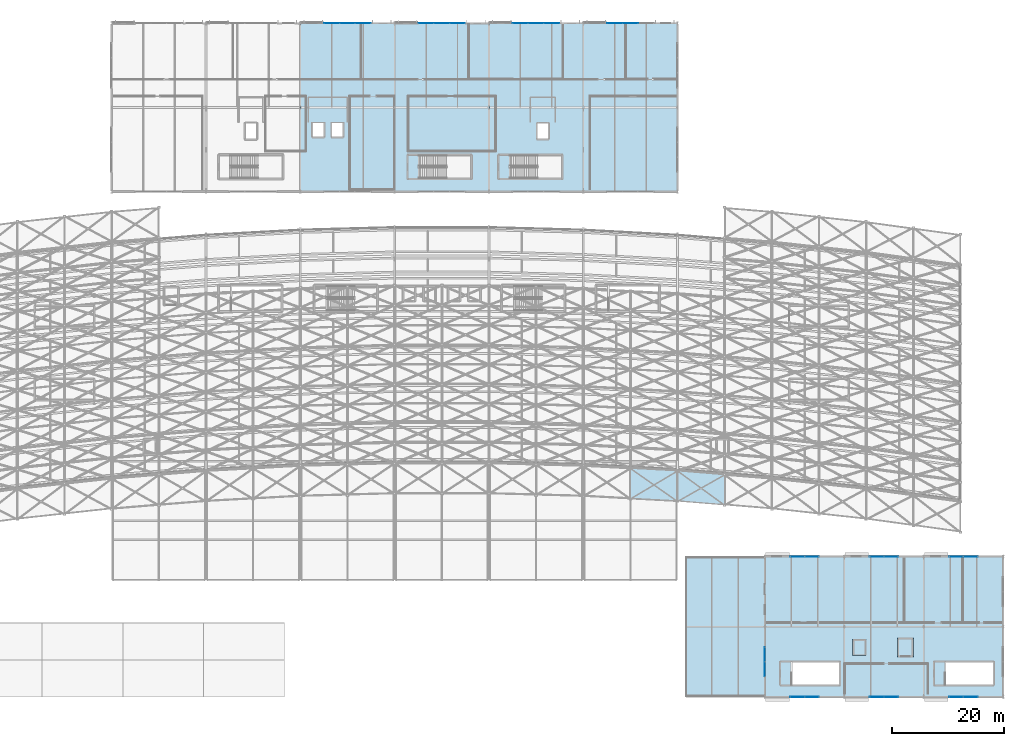
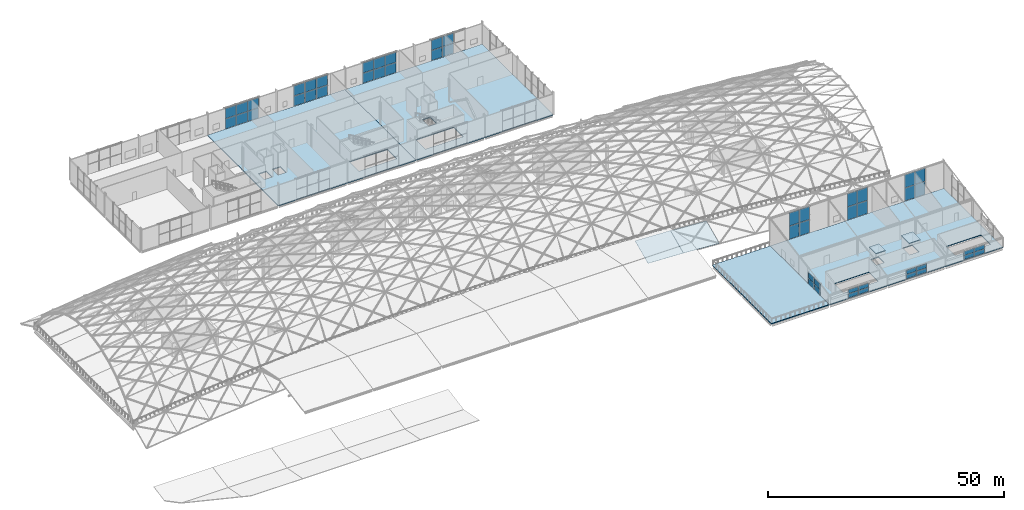
# One storey, part 69 of 100: 52 plates, 6 slabs, 11 elements without a shape of their own.
"""IFC4 building model written with IfcOpenShell, lengths in metres."""

from ifc_helpers import new_model, si_unit, direction, frame, origin, origin_2d, place, context, subcontext, project, spatial, polyline, rectangle, outline, extrude, material, layer, layer_set, type_object, element, aggregate, save


model = new_model("IFC4")

# Units and contexts
model_context = context("Model", 3, precision=1e-05, world=origin(), true_north=direction((0.0, 1.0)))
body_context = subcontext(model_context, "Body", "Model", "MODEL_VIEW")
ifc_project = project(units=[si_unit("LENGTHUNIT", "METRE"), si_unit("AREAUNIT", "SQUARE_METRE"), si_unit("VOLUMEUNIT", "CUBIC_METRE"), si_unit("PLANEANGLEUNIT", "RADIAN"), si_unit("MASSUNIT", "GRAM", prefix="KILO")], contexts=[model_context])

# Site, building, storey
site_placement = place(None, origin())
site = spatial("IfcSite", under=ifc_project, at=site_placement, CompositionType="ELEMENT")
building_placement = place(site_placement, origin())
building = spatial("IfcBuilding", under=site, at=building_placement, Name="Kimbaza Rail Terminus", CompositionType="ELEMENT")
storey_placement = place(building_placement, frame((0.0, 0.0, 10.800048828125)))
storey = spatial("IfcBuildingStorey", under=building, at=storey_placement, Name="L02", CompositionType="ELEMENT", Elevation=10.800048828125)

# Curtain wall, plates
ifc_material_1 = material(Name="Anodised aluminium framing and solar low-E glazing", Category="aluminium")
curtain_wall_type_1 = type_object("IfcCurtainWallType", Name="ARC-CW-PV1", PredefinedType="USERDEFINED", material=ifc_material_1)
curtain_wall_1_placement = place(storey_placement, origin())
curtain_wall_1 = element("IfcCurtainWall", 1, at=curtain_wall_1_placement, inside=storey, type_object=curtain_wall_type_1, Name="Pavilion N Curtain Wall L02.1", ObjectType="STICK CURTAIN WALL", PredefinedType="USERDEFINED")
ifc_material_2 = material(Name="Solar-control double low-E glazing", Category="glass")
ifc_layer_1 = layer(ifc_material_2, 0.027099609375)
ifc_layer_set_1 = layer_set([ifc_layer_1], Name="Solar-control double low-E glazing")
plate_type_1 = type_object("IfcPlateType", Name="ARC-CWP-04", PredefinedType="CURTAIN_PANEL", material=ifc_layer_set_1)
plate_1_placement = place(storey_placement, frame((177.353759765625, 38.0, 0.06494140625), z_axis=(0.0, 0.0, 1.0), x_axis=(1.0, 0.0, 0.0)))
plate_1 = element("IfcPlate", 2, at=plate_1_placement, type_object=plate_type_1, Name="CW-04 panel 1.1", PredefinedType="CURTAIN_PANEL", context=body_context, shape_type="SweptSolid", body=[
    extrude(rectangle(XDim=2.4775390625, YDim=0.027099609375, at=origin_2d()), origin(), (0.0, 0.0, 1.0), 3.375),
])
plate_2_placement = place(storey_placement, frame((177.353759765625, 38.0, 3.5048828125), z_axis=(0.0, 0.0, 1.0), x_axis=(1.0, 0.0, 0.0)))
plate_2 = element("IfcPlate", 3, at=plate_2_placement, type_object=plate_type_1, Name="CW-04 panel 1.2", PredefinedType="CURTAIN_PANEL", context=body_context, shape_type="SweptSolid", body=[
    extrude(rectangle(XDim=2.4775390625, YDim=0.027099609375, at=origin_2d()), origin(), (0.0, 0.0, 1.0), 3.375),
])
plate_3_placement = place(storey_placement, frame((179.896240234375, 38.0, 0.06494140625), z_axis=(0.0, 0.0, 1.0), x_axis=(1.0, 0.0, 0.0)))
plate_3 = element("IfcPlate", 4, at=plate_3_placement, type_object=plate_type_1, Name="CW-04 panel 2.1", PredefinedType="CURTAIN_PANEL", context=body_context, shape_type="SweptSolid", body=[
    extrude(rectangle(XDim=2.4775390625, YDim=0.027099609375, at=origin_2d()), origin(), (0.0, 0.0, 1.0), 3.375),
])
plate_4_placement = place(storey_placement, frame((179.896240234375, 38.0, 3.5048828125), z_axis=(0.0, 0.0, 1.0), x_axis=(1.0, 0.0, 0.0)))
plate_4 = element("IfcPlate", 5, at=plate_4_placement, type_object=plate_type_1, Name="CW-04 panel 2.2", PredefinedType="CURTAIN_PANEL", context=body_context, shape_type="SweptSolid", body=[
    extrude(rectangle(XDim=2.4775390625, YDim=0.027099609375, at=origin_2d()), origin(), (0.0, 0.0, 1.0), 3.375),
])
aggregate(curtain_wall_1, [plate_1, plate_2, plate_3, plate_4])

curtain_wall_2_placement = place(storey_placement, origin())
curtain_wall_2 = element("IfcCurtainWall", 6, at=curtain_wall_2_placement, inside=storey, type_object=curtain_wall_type_1, Name="Pavilion N Curtain Wall L02.2", ObjectType="STICK CURTAIN WALL", PredefinedType="USERDEFINED")
plate_5_placement = place(storey_placement, frame((191.503662109375, 38.0, 0.06494140625), z_axis=(0.0, 0.0, 1.0), x_axis=(1.0, 0.0, 0.0)))
plate_5 = element("IfcPlate", 7, at=plate_5_placement, type_object=plate_type_1, Name="CW-04 panel 1.1", PredefinedType="CURTAIN_PANEL", context=body_context, shape_type="SweptSolid", body=[
    extrude(rectangle(XDim=2.4775390625, YDim=0.027099609375, at=origin_2d()), origin(), (0.0, 0.0, 1.0), 3.375),
])
plate_6_placement = place(storey_placement, frame((191.503662109375, 38.0, 3.5048828125), z_axis=(0.0, 0.0, 1.0), x_axis=(1.0, 0.0, 0.0)))
plate_6 = element("IfcPlate", 8, at=plate_6_placement, type_object=plate_type_1, Name="CW-04 panel 1.2", PredefinedType="CURTAIN_PANEL", context=body_context, shape_type="SweptSolid", body=[
    extrude(rectangle(XDim=2.4775390625, YDim=0.027099609375, at=origin_2d()), origin(), (0.0, 0.0, 1.0), 3.375),
])
plate_7_placement = place(storey_placement, frame((194.046142578125, 38.0, 0.06494140625), z_axis=(0.0, 0.0, 1.0), x_axis=(1.0, 0.0, 0.0)))
plate_7 = element("IfcPlate", 9, at=plate_7_placement, type_object=plate_type_1, Name="CW-04 panel 2.1", PredefinedType="CURTAIN_PANEL", context=body_context, shape_type="SweptSolid", body=[
    extrude(rectangle(XDim=2.4775390625, YDim=0.027099609375, at=origin_2d()), origin(), (0.0, 0.0, 1.0), 3.375),
])
plate_8_placement = place(storey_placement, frame((194.046142578125, 38.0, 3.5048828125), z_axis=(0.0, 0.0, 1.0), x_axis=(1.0, 0.0, 0.0)))
plate_8 = element("IfcPlate", 10, at=plate_8_placement, type_object=plate_type_1, Name="CW-04 panel 2.2", PredefinedType="CURTAIN_PANEL", context=body_context, shape_type="SweptSolid", body=[
    extrude(rectangle(XDim=2.4775390625, YDim=0.027099609375, at=origin_2d()), origin(), (0.0, 0.0, 1.0), 3.375),
])
aggregate(curtain_wall_2, [plate_5, plate_6, plate_7, plate_8])

curtain_wall_3_placement = place(storey_placement, origin())
curtain_wall_3 = element("IfcCurtainWall", 11, at=curtain_wall_3_placement, inside=storey, type_object=curtain_wall_type_1, Name="Pavilion N Curtain Wall L02.3", ObjectType="STICK CURTAIN WALL", PredefinedType="USERDEFINED")
plate_9_placement = place(storey_placement, frame((205.65380859375, 38.0, 0.06494140625), z_axis=(0.0, 0.0, 1.0), x_axis=(1.0, 0.0, 0.0)))
plate_9 = element("IfcPlate", 12, at=plate_9_placement, type_object=plate_type_1, Name="CW-04 panel 1.1", PredefinedType="CURTAIN_PANEL", context=body_context, shape_type="SweptSolid", body=[
    extrude(rectangle(XDim=2.4775390625, YDim=0.027099609375, at=origin_2d()), origin(), (0.0, 0.0, 1.0), 3.375),
])
plate_10_placement = place(storey_placement, frame((205.65380859375, 38.0, 3.5048828125), z_axis=(0.0, 0.0, 1.0), x_axis=(1.0, 0.0, 0.0)))
plate_10 = element("IfcPlate", 13, at=plate_10_placement, type_object=plate_type_1, Name="CW-04 panel 1.2", PredefinedType="CURTAIN_PANEL", context=body_context, shape_type="SweptSolid", body=[
    extrude(rectangle(XDim=2.4775390625, YDim=0.027099609375, at=origin_2d()), origin(), (0.0, 0.0, 1.0), 3.375),
])
plate_11_placement = place(storey_placement, frame((208.1962890625, 38.0, 0.06494140625), z_axis=(0.0, 0.0, 1.0), x_axis=(1.0, 0.0, 0.0)))
plate_11 = element("IfcPlate", 14, at=plate_11_placement, type_object=plate_type_1, Name="CW-04 panel 2.1", PredefinedType="CURTAIN_PANEL", context=body_context, shape_type="SweptSolid", body=[
    extrude(rectangle(XDim=2.4775390625, YDim=0.027099609375, at=origin_2d()), origin(), (0.0, 0.0, 1.0), 3.375),
])
plate_12_placement = place(storey_placement, frame((208.1962890625, 38.0, 3.5048828125), z_axis=(0.0, 0.0, 1.0), x_axis=(1.0, 0.0, 0.0)))
plate_12 = element("IfcPlate", 15, at=plate_12_placement, type_object=plate_type_1, Name="CW-04 panel 2.2", PredefinedType="CURTAIN_PANEL", context=body_context, shape_type="SweptSolid", body=[
    extrude(rectangle(XDim=2.4775390625, YDim=0.027099609375, at=origin_2d()), origin(), (0.0, 0.0, 1.0), 3.375),
])
aggregate(curtain_wall_3, [plate_9, plate_10, plate_11, plate_12])

curtain_wall_4_placement = place(storey_placement, origin())
curtain_wall_4 = element("IfcCurtainWall", 16, at=curtain_wall_4_placement, inside=storey, type_object=curtain_wall_type_1, Name="Pavilion S Curtain Wall L02.1", ObjectType="STICK CURTAIN WALL", PredefinedType="USERDEFINED")
plate_13_placement = place(storey_placement, frame((177.353759765625, 13.0, 0.06494140625), z_axis=(0.0, 0.0, 1.0), x_axis=(1.0, 0.0, 0.0)))
plate_13 = element("IfcPlate", 17, at=plate_13_placement, type_object=plate_type_1, Name="CW-04 panel 1.1", PredefinedType="CURTAIN_PANEL", context=body_context, shape_type="SweptSolid", body=[
    extrude(rectangle(XDim=2.4775390625, YDim=0.027099609375, at=origin_2d()), origin(), (0.0, 0.0, 1.0), 1.050048828125),
])
plate_14_placement = place(storey_placement, frame((177.353759765625, 13.0, 1.1796875), z_axis=(0.0, 0.0, 1.0), x_axis=(1.0, 0.0, 0.0)))
plate_14 = element("IfcPlate", 18, at=plate_14_placement, type_object=plate_type_1, Name="CW-04 panel 1.2", PredefinedType="CURTAIN_PANEL", context=body_context, shape_type="SweptSolid", body=[
    extrude(rectangle(XDim=2.4775390625, YDim=0.027099609375, at=origin_2d()), origin(), (0.0, 0.0, 1.0), 1.050048828125),
])
plate_15_placement = place(storey_placement, frame((179.896240234375, 13.0, 0.06494140625), z_axis=(0.0, 0.0, 1.0), x_axis=(1.0, 0.0, 0.0)))
plate_15 = element("IfcPlate", 19, at=plate_15_placement, type_object=plate_type_1, Name="CW-04 panel 2.1", PredefinedType="CURTAIN_PANEL", context=body_context, shape_type="SweptSolid", body=[
    extrude(rectangle(XDim=2.4775390625, YDim=0.027099609375, at=origin_2d()), origin(), (0.0, 0.0, 1.0), 1.050048828125),
])
plate_16_placement = place(storey_placement, frame((179.896240234375, 13.0, 1.1796875), z_axis=(0.0, 0.0, 1.0), x_axis=(1.0, 0.0, 0.0)))
plate_16 = element("IfcPlate", 20, at=plate_16_placement, type_object=plate_type_1, Name="CW-04 panel 2.2", PredefinedType="CURTAIN_PANEL", context=body_context, shape_type="SweptSolid", body=[
    extrude(rectangle(XDim=2.4775390625, YDim=0.027099609375, at=origin_2d()), origin(), (0.0, 0.0, 1.0), 1.050048828125),
])
aggregate(curtain_wall_4, [plate_13, plate_14, plate_15, plate_16])

curtain_wall_5_placement = place(storey_placement, origin())
curtain_wall_5 = element("IfcCurtainWall", 21, at=curtain_wall_5_placement, inside=storey, type_object=curtain_wall_type_1, Name="Pavilion S Curtain Wall L02.2", ObjectType="STICK CURTAIN WALL", PredefinedType="USERDEFINED")
plate_17_placement = place(storey_placement, frame((191.503662109375, 13.0, 0.06494140625), z_axis=(0.0, 0.0, 1.0), x_axis=(1.0, 0.0, 0.0)))
plate_17 = element("IfcPlate", 22, at=plate_17_placement, type_object=plate_type_1, Name="CW-04 panel 1.1", PredefinedType="CURTAIN_PANEL", context=body_context, shape_type="SweptSolid", body=[
    extrude(rectangle(XDim=2.4775390625, YDim=0.027099609375, at=origin_2d()), origin(), (0.0, 0.0, 1.0), 1.050048828125),
])
plate_18_placement = place(storey_placement, frame((191.503662109375, 13.0, 1.1796875), z_axis=(0.0, 0.0, 1.0), x_axis=(1.0, 0.0, 0.0)))
plate_18 = element("IfcPlate", 23, at=plate_18_placement, type_object=plate_type_1, Name="CW-04 panel 1.2", PredefinedType="CURTAIN_PANEL", context=body_context, shape_type="SweptSolid", body=[
    extrude(rectangle(XDim=2.4775390625, YDim=0.027099609375, at=origin_2d()), origin(), (0.0, 0.0, 1.0), 1.050048828125),
])
plate_19_placement = place(storey_placement, frame((194.046142578125, 13.0, 0.06494140625), z_axis=(0.0, 0.0, 1.0), x_axis=(1.0, 0.0, 0.0)))
plate_19 = element("IfcPlate", 24, at=plate_19_placement, type_object=plate_type_1, Name="CW-04 panel 2.1", PredefinedType="CURTAIN_PANEL", context=body_context, shape_type="SweptSolid", body=[
    extrude(rectangle(XDim=2.4775390625, YDim=0.027099609375, at=origin_2d()), origin(), (0.0, 0.0, 1.0), 1.050048828125),
])
plate_20_placement = place(storey_placement, frame((194.046142578125, 13.0, 1.1796875), z_axis=(0.0, 0.0, 1.0), x_axis=(1.0, 0.0, 0.0)))
plate_20 = element("IfcPlate", 25, at=plate_20_placement, type_object=plate_type_1, Name="CW-04 panel 2.2", PredefinedType="CURTAIN_PANEL", context=body_context, shape_type="SweptSolid", body=[
    extrude(rectangle(XDim=2.4775390625, YDim=0.027099609375, at=origin_2d()), origin(), (0.0, 0.0, 1.0), 1.050048828125),
])
aggregate(curtain_wall_5, [plate_17, plate_18, plate_19, plate_20])

curtain_wall_6_placement = place(storey_placement, origin())
curtain_wall_6 = element("IfcCurtainWall", 26, at=curtain_wall_6_placement, inside=storey, type_object=curtain_wall_type_1, Name="Pavilion S Curtain Wall L02.3", ObjectType="STICK CURTAIN WALL", PredefinedType="USERDEFINED")
plate_21_placement = place(storey_placement, frame((205.65380859375, 13.0, 0.06494140625), z_axis=(0.0, 0.0, 1.0), x_axis=(1.0, 0.0, 0.0)))
plate_21 = element("IfcPlate", 27, at=plate_21_placement, type_object=plate_type_1, Name="CW-04 panel 1.1", PredefinedType="CURTAIN_PANEL", context=body_context, shape_type="SweptSolid", body=[
    extrude(rectangle(XDim=2.4775390625, YDim=0.027099609375, at=origin_2d()), origin(), (0.0, 0.0, 1.0), 1.050048828125),
])
plate_22_placement = place(storey_placement, frame((205.65380859375, 13.0, 1.1796875), z_axis=(0.0, 0.0, 1.0), x_axis=(1.0, 0.0, 0.0)))
plate_22 = element("IfcPlate", 28, at=plate_22_placement, type_object=plate_type_1, Name="CW-04 panel 1.2", PredefinedType="CURTAIN_PANEL", context=body_context, shape_type="SweptSolid", body=[
    extrude(rectangle(XDim=2.4775390625, YDim=0.027099609375, at=origin_2d()), origin(), (0.0, 0.0, 1.0), 1.050048828125),
])
plate_23_placement = place(storey_placement, frame((208.1962890625, 13.0, 0.06494140625), z_axis=(0.0, 0.0, 1.0), x_axis=(1.0, 0.0, 0.0)))
plate_23 = element("IfcPlate", 29, at=plate_23_placement, type_object=plate_type_1, Name="CW-04 panel 2.1", PredefinedType="CURTAIN_PANEL", context=body_context, shape_type="SweptSolid", body=[
    extrude(rectangle(XDim=2.4775390625, YDim=0.027099609375, at=origin_2d()), origin(), (0.0, 0.0, 1.0), 1.050048828125),
])
plate_24_placement = place(storey_placement, frame((208.1962890625, 13.0, 1.1796875), z_axis=(0.0, 0.0, 1.0), x_axis=(1.0, 0.0, 0.0)))
plate_24 = element("IfcPlate", 30, at=plate_24_placement, type_object=plate_type_1, Name="CW-04 panel 2.2", PredefinedType="CURTAIN_PANEL", context=body_context, shape_type="SweptSolid", body=[
    extrude(rectangle(XDim=2.4775390625, YDim=0.027099609375, at=origin_2d()), origin(), (0.0, 0.0, 1.0), 1.050048828125),
])
aggregate(curtain_wall_6, [plate_21, plate_22, plate_23, plate_24])

curtain_wall_7_placement = place(storey_placement, origin())
curtain_wall_7 = element("IfcCurtainWall", 31, at=curtain_wall_7_placement, inside=storey, type_object=curtain_wall_type_1, Name="Pavilion W Curtain Wall L02.1", ObjectType="STICK CURTAIN WALL", PredefinedType="USERDEFINED")
plate_25_placement = place(storey_placement, frame((171.550048828125, 17.941162109375, 0.06494140625), z_axis=(0.0, 0.0, 1.0), x_axis=(0.0, 1.0, 0.0)))
plate_25 = element("IfcPlate", 32, at=plate_25_placement, type_object=plate_type_1, Name="CW-04 panel 1.1", PredefinedType="CURTAIN_PANEL", context=body_context, shape_type="SweptSolid", body=[
    extrude(rectangle(XDim=2.552490234375, YDim=0.027099609375, at=origin_2d()), origin(), (0.0, 0.0, 1.0), 1.436279296875),
])
plate_26_placement = place(storey_placement, frame((171.550048828125, 17.941162109375, 1.56640625), z_axis=(0.0, 0.0, 1.0), x_axis=(0.0, 1.0, 0.0)))
plate_26 = element("IfcPlate", 33, at=plate_26_placement, type_object=plate_type_1, Name="CW-04 panel 1.2", PredefinedType="CURTAIN_PANEL", context=body_context, shape_type="SweptSolid", body=[
    extrude(rectangle(XDim=2.552490234375, YDim=0.027099609375, at=origin_2d()), origin(), (0.0, 0.0, 1.0), 1.436279296875),
])
plate_27_placement = place(storey_placement, frame((171.550048828125, 20.558837890625, 0.06494140625), z_axis=(0.0, 0.0, 1.0), x_axis=(0.0, 1.0, 0.0)))
plate_27 = element("IfcPlate", 34, at=plate_27_placement, type_object=plate_type_1, Name="CW-04 panel 2.1", PredefinedType="CURTAIN_PANEL", context=body_context, shape_type="SweptSolid", body=[
    extrude(rectangle(XDim=2.552490234375, YDim=0.027099609375, at=origin_2d()), origin(), (0.0, 0.0, 1.0), 1.436279296875),
])
plate_28_placement = place(storey_placement, frame((171.550048828125, 20.558837890625, 1.56640625), z_axis=(0.0, 0.0, 1.0), x_axis=(0.0, 1.0, 0.0)))
plate_28 = element("IfcPlate", 35, at=plate_28_placement, type_object=plate_type_1, Name="CW-04 panel 2.2", PredefinedType="CURTAIN_PANEL", context=body_context, shape_type="SweptSolid", body=[
    extrude(rectangle(XDim=2.552490234375, YDim=0.027099609375, at=origin_2d()), origin(), (0.0, 0.0, 1.0), 1.436279296875),
])
aggregate(curtain_wall_7, [plate_25, plate_26, plate_27, plate_28])

ifc_material_3 = material(Name="Anodised aluminium framing and solar low-E glazing", Category="aluminium")
curtain_wall_type_2 = type_object("IfcCurtainWallType", Name="ARC-CW-OP1", PredefinedType="USERDEFINED", material=ifc_material_3)
curtain_wall_8_placement = place(storey_placement, origin())
curtain_wall_8 = element("IfcCurtainWall", 36, at=curtain_wall_8_placement, inside=storey, type_object=curtain_wall_type_2, Name="Operations North Curtain Wall L02 Bay 3", ObjectType="UNITISED CURTAIN WALL", PredefinedType="USERDEFINED")
ifc_material_4 = material(Name="Solar-control double low-E glazing", Category="glass")
ifc_layer_2 = layer(ifc_material_4, 0.02490234375)
ifc_layer_set_2 = layer_set([ifc_layer_2], Name="Solar-control double low-E glazing")
plate_type_2 = type_object("IfcPlateType", Name="ARC-CWP-05", PredefinedType="CURTAIN_PANEL", material=ifc_layer_set_2)
plate_29_placement = place(storey_placement, frame((94.41552734375, 133.0, 0.06201171875), z_axis=(0.0, 0.0, 1.0), x_axis=(1.0, 0.0, 0.0)))
plate_29 = element("IfcPlate", 37, at=plate_29_placement, type_object=plate_type_2, Name="CW-05 panel 1.1", PredefinedType="CURTAIN_PANEL", context=body_context, shape_type="SweptSolid", body=[
    extrude(rectangle(XDim=2.70703125, YDim=0.02490234375, at=origin_2d()), origin(), (0.0, 0.0, 1.0), 2.609619140625),
])
plate_30_placement = place(storey_placement, frame((94.41552734375, 133.0, 2.7333984375), z_axis=(0.0, 0.0, 1.0), x_axis=(1.0, 0.0, 0.0)))
plate_30 = element("IfcPlate", 38, at=plate_30_placement, type_object=plate_type_2, Name="CW-05 panel 1.2", PredefinedType="CURTAIN_PANEL", context=body_context, shape_type="SweptSolid", body=[
    extrude(rectangle(XDim=2.70703125, YDim=0.02490234375, at=origin_2d()), origin(), (0.0, 0.0, 1.0), 2.609619140625),
])
plate_31_placement = place(storey_placement, frame((97.199951171875, 133.0, 0.06201171875), z_axis=(0.0, 0.0, 1.0), x_axis=(1.0, 0.0, 0.0)))
plate_31 = element("IfcPlate", 39, at=plate_31_placement, type_object=plate_type_2, Name="CW-05 panel 2.1", PredefinedType="CURTAIN_PANEL", context=body_context, shape_type="SweptSolid", body=[
    extrude(rectangle(XDim=2.738037109375, YDim=0.02490234375, at=origin_2d()), origin(), (0.0, 0.0, 1.0), 2.609619140625),
])
plate_32_placement = place(storey_placement, frame((97.199951171875, 133.0, 2.7333984375), z_axis=(0.0, 0.0, 1.0), x_axis=(1.0, 0.0, 0.0)))
plate_32 = element("IfcPlate", 40, at=plate_32_placement, type_object=plate_type_2, Name="CW-05 panel 2.2", PredefinedType="CURTAIN_PANEL", context=body_context, shape_type="SweptSolid", body=[
    extrude(rectangle(XDim=2.738037109375, YDim=0.02490234375, at=origin_2d()), origin(), (0.0, 0.0, 1.0), 2.609619140625),
])
plate_33_placement = place(storey_placement, frame((99.984619140625, 133.0, 0.06201171875), z_axis=(0.0, 0.0, 1.0), x_axis=(1.0, 0.0, 0.0)))
plate_33 = element("IfcPlate", 41, at=plate_33_placement, type_object=plate_type_2, Name="CW-05 panel 3.1", PredefinedType="CURTAIN_PANEL", context=body_context, shape_type="SweptSolid", body=[
    extrude(rectangle(XDim=2.70703125, YDim=0.02490234375, at=origin_2d()), origin(), (0.0, 0.0, 1.0), 2.609619140625),
])
plate_34_placement = place(storey_placement, frame((99.984619140625, 133.0, 2.7333984375), z_axis=(0.0, 0.0, 1.0), x_axis=(1.0, 0.0, 0.0)))
plate_34 = element("IfcPlate", 42, at=plate_34_placement, type_object=plate_type_2, Name="CW-05 panel 3.2", PredefinedType="CURTAIN_PANEL", context=body_context, shape_type="SweptSolid", body=[
    extrude(rectangle(XDim=2.70703125, YDim=0.02490234375, at=origin_2d()), origin(), (0.0, 0.0, 1.0), 2.609619140625),
])
aggregate(curtain_wall_8, [plate_29, plate_30, plate_31, plate_32, plate_33, plate_34])

curtain_wall_9_placement = place(storey_placement, origin())
curtain_wall_9 = element("IfcCurtainWall", 43, at=curtain_wall_9_placement, inside=storey, type_object=curtain_wall_type_2, Name="Operations North Curtain Wall L02 Bay 4", ObjectType="UNITISED CURTAIN WALL", PredefinedType="USERDEFINED")
plate_35_placement = place(storey_placement, frame((111.215576171875, 133.0, 0.06201171875), z_axis=(0.0, 0.0, 1.0), x_axis=(1.0, 0.0, 0.0)))
plate_35 = element("IfcPlate", 44, at=plate_35_placement, type_object=plate_type_2, Name="CW-05 panel 1.1", PredefinedType="CURTAIN_PANEL", context=body_context, shape_type="SweptSolid", body=[
    extrude(rectangle(XDim=2.70703125, YDim=0.02490234375, at=origin_2d()), origin(), (0.0, 0.0, 1.0), 2.609619140625),
])
plate_36_placement = place(storey_placement, frame((111.215576171875, 133.0, 2.7333984375), z_axis=(0.0, 0.0, 1.0), x_axis=(1.0, 0.0, 0.0)))
plate_36 = element("IfcPlate", 45, at=plate_36_placement, type_object=plate_type_2, Name="CW-05 panel 1.2", PredefinedType="CURTAIN_PANEL", context=body_context, shape_type="SweptSolid", body=[
    extrude(rectangle(XDim=2.70703125, YDim=0.02490234375, at=origin_2d()), origin(), (0.0, 0.0, 1.0), 2.609619140625),
])
plate_37_placement = place(storey_placement, frame((114.0, 133.0, 0.06201171875), z_axis=(0.0, 0.0, 1.0), x_axis=(1.0, 0.0, 0.0)))
plate_37 = element("IfcPlate", 46, at=plate_37_placement, type_object=plate_type_2, Name="CW-05 panel 2.1", PredefinedType="CURTAIN_PANEL", context=body_context, shape_type="SweptSolid", body=[
    extrude(rectangle(XDim=2.738037109375, YDim=0.02490234375, at=origin_2d()), origin(), (0.0, 0.0, 1.0), 2.609619140625),
])
plate_38_placement = place(storey_placement, frame((114.0, 133.0, 2.7333984375), z_axis=(0.0, 0.0, 1.0), x_axis=(1.0, 0.0, 0.0)))
plate_38 = element("IfcPlate", 47, at=plate_38_placement, type_object=plate_type_2, Name="CW-05 panel 2.2", PredefinedType="CURTAIN_PANEL", context=body_context, shape_type="SweptSolid", body=[
    extrude(rectangle(XDim=2.738037109375, YDim=0.02490234375, at=origin_2d()), origin(), (0.0, 0.0, 1.0), 2.609619140625),
])
plate_39_placement = place(storey_placement, frame((116.784423828125, 133.0, 0.06201171875), z_axis=(0.0, 0.0, 1.0), x_axis=(1.0, 0.0, 0.0)))
plate_39 = element("IfcPlate", 48, at=plate_39_placement, type_object=plate_type_2, Name="CW-05 panel 3.1", PredefinedType="CURTAIN_PANEL", context=body_context, shape_type="SweptSolid", body=[
    extrude(rectangle(XDim=2.70703125, YDim=0.02490234375, at=origin_2d()), origin(), (0.0, 0.0, 1.0), 2.609619140625),
])
plate_40_placement = place(storey_placement, frame((116.784423828125, 133.0, 2.7333984375), z_axis=(0.0, 0.0, 1.0), x_axis=(1.0, 0.0, 0.0)))
plate_40 = element("IfcPlate", 49, at=plate_40_placement, type_object=plate_type_2, Name="CW-05 panel 3.2", PredefinedType="CURTAIN_PANEL", context=body_context, shape_type="SweptSolid", body=[
    extrude(rectangle(XDim=2.70703125, YDim=0.02490234375, at=origin_2d()), origin(), (0.0, 0.0, 1.0), 2.609619140625),
])
aggregate(curtain_wall_9, [plate_35, plate_36, plate_37, plate_38, plate_39, plate_40])

curtain_wall_10_placement = place(storey_placement, origin())
curtain_wall_10 = element("IfcCurtainWall", 50, at=curtain_wall_10_placement, inside=storey, type_object=curtain_wall_type_2, Name="Operations North Curtain Wall L02 Bay 5", ObjectType="UNITISED CURTAIN WALL", PredefinedType="USERDEFINED")
plate_41_placement = place(storey_placement, frame((128.015380859375, 133.0, 0.06201171875), z_axis=(0.0, 0.0, 1.0), x_axis=(1.0, 0.0, 0.0)))
plate_41 = element("IfcPlate", 51, at=plate_41_placement, type_object=plate_type_2, Name="CW-05 panel 1.1", PredefinedType="CURTAIN_PANEL", context=body_context, shape_type="SweptSolid", body=[
    extrude(rectangle(XDim=2.70703125, YDim=0.02490234375, at=origin_2d()), origin(), (0.0, 0.0, 1.0), 2.609619140625),
])
plate_42_placement = place(storey_placement, frame((128.015380859375, 133.0, 2.7333984375), z_axis=(0.0, 0.0, 1.0), x_axis=(1.0, 0.0, 0.0)))
plate_42 = element("IfcPlate", 52, at=plate_42_placement, type_object=plate_type_2, Name="CW-05 panel 1.2", PredefinedType="CURTAIN_PANEL", context=body_context, shape_type="SweptSolid", body=[
    extrude(rectangle(XDim=2.70703125, YDim=0.02490234375, at=origin_2d()), origin(), (0.0, 0.0, 1.0), 2.609619140625),
])
plate_43_placement = place(storey_placement, frame((130.800048828125, 133.0, 0.06201171875), z_axis=(0.0, 0.0, 1.0), x_axis=(1.0, 0.0, 0.0)))
plate_43 = element("IfcPlate", 53, at=plate_43_placement, type_object=plate_type_2, Name="CW-05 panel 2.1", PredefinedType="CURTAIN_PANEL", context=body_context, shape_type="SweptSolid", body=[
    extrude(rectangle(XDim=2.738037109375, YDim=0.02490234375, at=origin_2d()), origin(), (0.0, 0.0, 1.0), 2.609619140625),
])
plate_44_placement = place(storey_placement, frame((130.800048828125, 133.0, 2.7333984375), z_axis=(0.0, 0.0, 1.0), x_axis=(1.0, 0.0, 0.0)))
plate_44 = element("IfcPlate", 54, at=plate_44_placement, type_object=plate_type_2, Name="CW-05 panel 2.2", PredefinedType="CURTAIN_PANEL", context=body_context, shape_type="SweptSolid", body=[
    extrude(rectangle(XDim=2.738037109375, YDim=0.02490234375, at=origin_2d()), origin(), (0.0, 0.0, 1.0), 2.609619140625),
])
plate_45_placement = place(storey_placement, frame((133.58447265625, 133.0, 0.06201171875), z_axis=(0.0, 0.0, 1.0), x_axis=(1.0, 0.0, 0.0)))
plate_45 = element("IfcPlate", 55, at=plate_45_placement, type_object=plate_type_2, Name="CW-05 panel 3.1", PredefinedType="CURTAIN_PANEL", context=body_context, shape_type="SweptSolid", body=[
    extrude(rectangle(XDim=2.70703125, YDim=0.02490234375, at=origin_2d()), origin(), (0.0, 0.0, 1.0), 2.609619140625),
])
plate_46_placement = place(storey_placement, frame((133.58447265625, 133.0, 2.7333984375), z_axis=(0.0, 0.0, 1.0), x_axis=(1.0, 0.0, 0.0)))
plate_46 = element("IfcPlate", 56, at=plate_46_placement, type_object=plate_type_2, Name="CW-05 panel 3.2", PredefinedType="CURTAIN_PANEL", context=body_context, shape_type="SweptSolid", body=[
    extrude(rectangle(XDim=2.70703125, YDim=0.02490234375, at=origin_2d()), origin(), (0.0, 0.0, 1.0), 2.609619140625),
])
aggregate(curtain_wall_10, [plate_41, plate_42, plate_43, plate_44, plate_45, plate_46])

curtain_wall_11_placement = place(storey_placement, origin())
curtain_wall_11 = element("IfcCurtainWall", 57, at=curtain_wall_11_placement, inside=storey, type_object=curtain_wall_type_2, Name="Operations North Curtain Wall L02 Bay 6", ObjectType="UNITISED CURTAIN WALL", PredefinedType="USERDEFINED")
plate_47_placement = place(storey_placement, frame((144.8154296875, 133.0, 0.06201171875), z_axis=(0.0, 0.0, 1.0), x_axis=(1.0, 0.0, 0.0)))
plate_47 = element("IfcPlate", 58, at=plate_47_placement, type_object=plate_type_2, Name="CW-05 panel 1.1", PredefinedType="CURTAIN_PANEL", context=body_context, shape_type="SweptSolid", body=[
    extrude(rectangle(XDim=2.70703125, YDim=0.02490234375, at=origin_2d()), origin(), (0.0, 0.0, 1.0), 2.609619140625),
])
plate_48_placement = place(storey_placement, frame((144.8154296875, 133.0, 2.7333984375), z_axis=(0.0, 0.0, 1.0), x_axis=(1.0, 0.0, 0.0)))
plate_48 = element("IfcPlate", 59, at=plate_48_placement, type_object=plate_type_2, Name="CW-05 panel 1.2", PredefinedType="CURTAIN_PANEL", context=body_context, shape_type="SweptSolid", body=[
    extrude(rectangle(XDim=2.70703125, YDim=0.02490234375, at=origin_2d()), origin(), (0.0, 0.0, 1.0), 2.609619140625),
])
plate_49_placement = place(storey_placement, frame((147.60009765625, 133.0, 0.06201171875), z_axis=(0.0, 0.0, 1.0), x_axis=(1.0, 0.0, 0.0)))
plate_49 = element("IfcPlate", 60, at=plate_49_placement, type_object=plate_type_2, Name="CW-05 panel 2.1", PredefinedType="CURTAIN_PANEL", context=body_context, shape_type="SweptSolid", body=[
    extrude(rectangle(XDim=2.738037109375, YDim=0.02490234375, at=origin_2d()), origin(), (0.0, 0.0, 1.0), 2.609619140625),
])
plate_50_placement = place(storey_placement, frame((147.60009765625, 133.0, 2.7333984375), z_axis=(0.0, 0.0, 1.0), x_axis=(1.0, 0.0, 0.0)))
plate_50 = element("IfcPlate", 61, at=plate_50_placement, type_object=plate_type_2, Name="CW-05 panel 2.2", PredefinedType="CURTAIN_PANEL", context=body_context, shape_type="SweptSolid", body=[
    extrude(rectangle(XDim=2.738037109375, YDim=0.02490234375, at=origin_2d()), origin(), (0.0, 0.0, 1.0), 2.609619140625),
])
aggregate(curtain_wall_11, [plate_47, plate_48, plate_49, plate_50])

# Plates
ifc_material_5 = material(Name="Insulated pearl-white aluminium cassette", Category="aluminium")
ifc_layer_3 = layer(ifc_material_5, 0.054931640625)
ifc_layer_set_3 = layer_set([ifc_layer_3], Name="Insulated pearl-white aluminium cassette")
plate_type_3 = type_object("IfcPlateType", Name="ARC-PL-VAL-01", PredefinedType="SHEET", material=ifc_layer_set_3)
plate_51_placement = place(storey_placement, frame((147.60498046875, 48.286376953125, -2.39990234375), z_axis=(-0.022487005751, -0.41369830815, 0.910136277931), x_axis=(0.998525975476, -0.054275927434, 0.0)))
element("IfcPlate", 62, at=plate_51_placement, inside=storey, type_object=plate_type_3, Name="Vault Insulated Aluminium Cassette VR-15-VA00", PredefinedType="SHEET", context=body_context, shape_type="SweptSolid", body=[
    extrude(outline(polyline([(0.0, 0.0), (8.40252224259524, 5.551115123125783e-17), (8.104004641709333, 6.034143455533795), (-0.2985176008859068, 6.034143455533795), (0.0, 0.0)])), origin(), (0.0, 0.0, -1.0), 0.054931640625),
])
plate_52_placement = place(storey_placement, frame((156.0048828125, 47.830322265625, -2.39990234375), z_axis=(-0.033767935442, -0.41356695275, 0.90984729605), x_axis=(0.996683175765, -0.081379648234, 0.0)))
element("IfcPlate", 63, at=plate_52_placement, inside=storey, type_object=plate_type_3, Name="Vault Insulated Aluminium Cassette VR-16-VA00", PredefinedType="SHEET", context=body_context, shape_type="SweptSolid", body=[
    extrude(outline(polyline([(0.0, 0.0), (8.418057937326623, 1.1102230246251565e-16), (7.97046987204163, 6.0249203251009416), (-0.4475880652849929, 6.0249203251009416), (0.0, 0.0)])), origin(), (0.0, 0.0, -1.0), 0.054931640625),
])

# Slabs
ifc_material_6 = material(Name="Concrete C40/50", Category="concrete")
ifc_layer_4 = layer(ifc_material_6, 0.219970703125)
ifc_layer_set_4 = layer_set([ifc_layer_4], Name="Concrete C40/50")
slab_type_1 = type_object("IfcSlabType", Name="STR-SL-MEZ220", PredefinedType="FLOOR", material=ifc_layer_set_4)
slab_1_placement = place(storey_placement, frame((0.0, 0.0, -0.219970703125)))
element("IfcSlab", 64, at=slab_1_placement, inside=storey, type_object=slab_type_1, Name="Panorama Cafe Pavilion L02 Slab", PredefinedType="FLOOR", context=body_context, shape_type="SweptSolid", body=[
    extrude(outline(polyline([(171.550048828125, 13.0), (214.0, 13.0), (214.0, 38.0), (171.550048828125, 38.0), (171.550048828125, 13.0)]), holes=[polyline([(176.324951171875, 15.199951171875), (184.800048828125, 15.199951171875), (184.800048828125, 19.199951171875), (176.324951171875, 19.199951171875), (176.324951171875, 15.199951171875)]), polyline([(203.72509765625, 15.199951171875), (212.199951171875, 15.199951171875), (212.199951171875, 19.199951171875), (203.72509765625, 19.199951171875), (203.72509765625, 15.199951171875)]), polyline([(187.449951171875, 20.60009765625), (189.35009765625, 20.60009765625), (189.35009765625, 23.0), (187.449951171875, 23.0), (187.449951171875, 20.60009765625)]), polyline([(195.449951171875, 20.35009765625), (197.75, 20.35009765625), (197.75, 23.25), (195.449951171875, 23.25), (195.449951171875, 20.35009765625)])]), origin(), (0.0, 0.0, 1.0), 0.219970703125),
])
ifc_material_7 = material(Name="Concrete C40/50", Category="concrete")
ifc_layer_5 = layer(ifc_material_7, 0.239990234375)
ifc_layer_set_5 = layer_set([ifc_layer_5], Name="Concrete C40/50")
slab_type_2 = type_object("IfcSlabType", Name="STR-SL-OPS240", PredefinedType="FLOOR", material=ifc_layer_set_5)
slab_2_placement = place(storey_placement, frame((0.0, 0.0, -0.239990234375)))
element("IfcSlab", 65, at=slab_2_placement, inside=storey, type_object=slab_type_2, Name="Operations Wing L02 Slab Zone 2", PredefinedType="FLOOR", context=body_context, shape_type="SweptSolid", body=[
    extrude(outline(polyline([(88.800048828125, 103.0), (122.39990234375, 103.0), (122.39990234375, 133.0), (88.800048828125, 133.0), (88.800048828125, 103.0)]), holes=[polyline([(109.945068359375, 105.39990234375), (119.199951171875, 105.39990234375), (119.199951171875, 109.43994140625), (109.945068359375, 109.43994140625), (109.945068359375, 105.39990234375)]), polyline([(91.050048828125, 112.800048828125), (92.949951171875, 112.800048828125), (92.949951171875, 115.199951171875), (91.050048828125, 115.199951171875), (91.050048828125, 112.800048828125)]), polyline([(94.449951171875, 112.800048828125), (96.35009765625, 112.800048828125), (96.35009765625, 115.199951171875), (94.449951171875, 115.199951171875), (94.449951171875, 112.800048828125)])]), origin(), (0.0, 0.0, 1.0), 0.239990234375),
])
slab_3_placement = place(storey_placement, frame((0.0, 0.0, -0.239990234375)))
element("IfcSlab", 66, at=slab_3_placement, inside=storey, type_object=slab_type_2, Name="Operations Wing L02 Slab Zone 3", PredefinedType="FLOOR", context=body_context, shape_type="SweptSolid", body=[
    extrude(outline(polyline([(122.39990234375, 103.0), (156.0, 103.0), (156.0, 133.0), (122.39990234375, 133.0), (122.39990234375, 103.0)]), holes=[polyline([(126.14501953125, 105.39990234375), (135.39990234375, 105.39990234375), (135.39990234375, 109.43994140625), (126.14501953125, 109.43994140625), (126.14501953125, 105.39990234375)]), polyline([(131.050048828125, 112.449951171875), (132.949951171875, 112.449951171875), (132.949951171875, 115.14990234375), (131.050048828125, 115.14990234375), (131.050048828125, 112.449951171875)])]), origin(), (0.0, 0.0, 1.0), 0.239990234375),
])
ifc_material_8 = material(Name="Concrete C40/50", Category="concrete")
ifc_layer_6 = layer(ifc_material_8, 0.155029296875)
ifc_layer_set_6 = layer_set([ifc_layer_6], Name="Concrete C40/50")
slab_type_3 = type_object("IfcSlabType", Name="STR-SL-OVR155", PredefinedType="ROOF", material=ifc_layer_set_6)
slab_4_placement = place(storey_placement, frame((0.0, 0.0, 3.050048828125)))
element("IfcSlab", 67, at=slab_4_placement, inside=storey, type_object=slab_type_3, Name="Lift Shaft Overrun Cap Slab LP-07", PredefinedType="ROOF", context=body_context, shape_type="SweptSolid", body=[
    extrude(outline(polyline([(187.199951171875, 20.35009765625), (189.60009765625, 20.35009765625), (189.60009765625, 23.25), (187.199951171875, 23.25), (187.199951171875, 20.35009765625)])), origin(), (0.0, 0.0, 1.0), 0.15478515625),
])
slab_5_placement = place(storey_placement, frame((0.0, 0.0, 3.050048828125)))
element("IfcSlab", 68, at=slab_5_placement, inside=storey, type_object=slab_type_3, Name="Lift Shaft Overrun Cap Slab LG-02", PredefinedType="ROOF", context=body_context, shape_type="SweptSolid", body=[
    extrude(outline(polyline([(195.199951171875, 20.10009765625), (198.0, 20.10009765625), (198.0, 23.5), (195.199951171875, 23.5), (195.199951171875, 20.10009765625)])), origin(), (0.0, 0.0, 1.0), 0.15478515625),
])
ifc_material_9 = material(Name="Concrete C40/50", Category="concrete")
ifc_layer_7 = layer(ifc_material_9, 0.2099609375)
ifc_layer_set_7 = layer_set([ifc_layer_7], Name="Concrete C40/50")
slab_type_4 = type_object("IfcSlabType", Name="STR-SL-TER210", PredefinedType="FLOOR", material=ifc_layer_set_7)
slab_6_placement = place(storey_placement, frame((0.0, 0.0, -0.2099609375)))
element("IfcSlab", 69, at=slab_6_placement, inside=storey, type_object=slab_type_4, Name="L02 Courtyard Cafe Outdoor Terrace Slab", PredefinedType="FLOOR", context=body_context, shape_type="SweptSolid", body=[
    extrude(outline(polyline([(157.39990234375, 13.0), (171.550048828125, 13.0), (171.550048828125, 38.0), (157.39990234375, 38.0), (157.39990234375, 13.0)])), origin(), (0.0, 0.0, 1.0), 0.2099609375),
])

save(model, "model.ifc")
